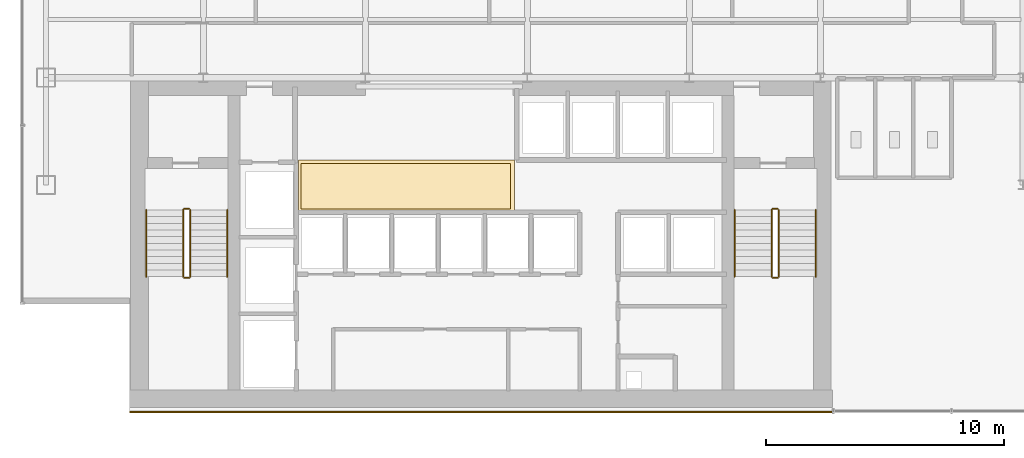
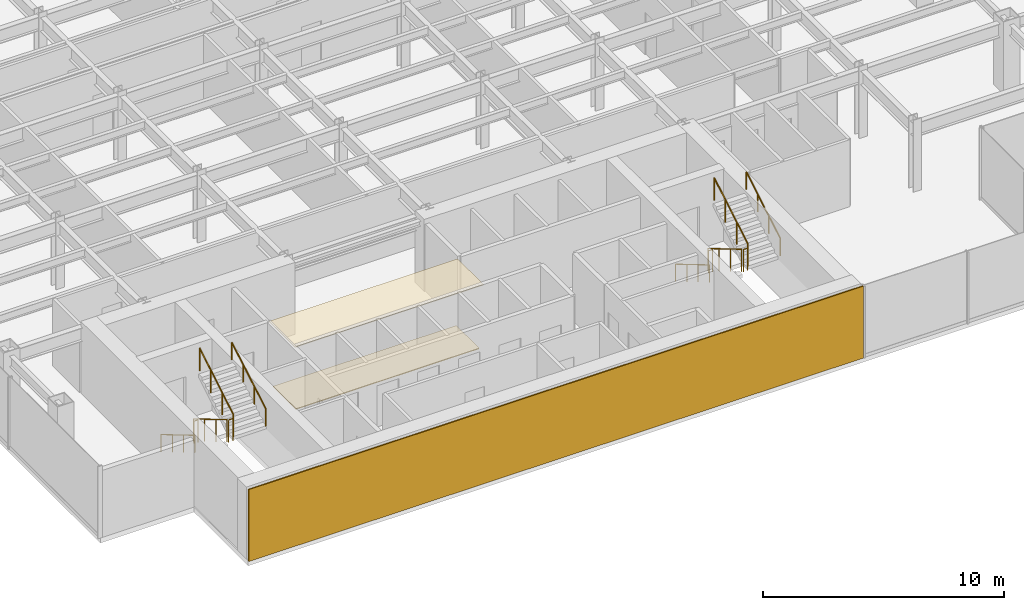
# One storey, part 24 of 26: 12 railings, 3 coverings.
"""IFC4 building model written with IfcOpenShell, lengths in metres."""

import ifcopenshell
import ifcopenshell.guid

model = None  # the IFC model being written
_history = None  # IfcOwnerHistory: only IFC2X3 demands one
_inside = {}  # id of a spatial element -> (the spatial element, [elements in it])
_under = {}  # id of a project, library or spatial element -> (it, [spatial elements below it])
_declared = {}  # id of a project -> (the project, [libraries it declares])
_typed = {}  # id of a type object -> (the type object, [elements of that type])
_made_of = {}  # id of a material, layer set ... -> (it, [elements and type objects made of it])


def new_model(schema):
    """Start an empty IFC model of exactly this schema.

    Asked for "IFC4X3", IfcOpenShell would pick the latest addendum, in which some entities
    have other attributes; the version numbers below select the first issue.
    IFC2X3 requires an IfcOwnerHistory on every rooted entity: one is made here for all.
    """
    global model, _history
    if schema == "IFC4X3":
        model = ifcopenshell.file(schema_version=(4, 3, 0, 0))
    else:
        model = ifcopenshell.file(schema=schema)
    _inside.clear()
    _under.clear()
    _declared.clear()
    _typed.clear()
    _made_of.clear()
    _history = None
    if model.schema == "IFC2X3":
        org = make("IfcOrganization", Name="unknown")
        user = make(
            "IfcPersonAndOrganization",
            ThePerson=make("IfcPerson", FamilyName="unknown"),
            TheOrganization=org,
        )
        app = make(
            "IfcApplication",
            ApplicationDeveloper=org,
            Version="unknown",
            ApplicationFullName="unknown",
            ApplicationIdentifier="unknown",
        )
        _history = make(
            "IfcOwnerHistory",
            OwningUser=user,
            OwningApplication=app,
            ChangeAction="ADDED",
            CreationDate=0,
        )
    return model


def make(cls, **values):
    """One entity of the class cls with the attributes given. An attribute that is None is left unset."""
    return model.create_entity(
        cls, **{name: value for name, value in values.items() if value is not None}
    )


def rooted(cls, **values):
    """An entity with a GlobalId (a new one), such as an element, a storey or a relation."""
    return make(cls, GlobalId=ifcopenshell.guid.new(), OwnerHistory=_history, **values)


def si_unit(unit_type, name, prefix=None):
    """IfcSIUnit, for example si_unit("LENGTHUNIT", "METRE", prefix="MILLI")."""
    return make("IfcSIUnit", UnitType=unit_type, Prefix=prefix, Name=name)


def derived_unit(unit_type, elements):
    """IfcDerivedUnit: a product of units, each with its exponent."""
    return make(
        "IfcDerivedUnit",
        Elements=[
            make("IfcDerivedUnitElement", Unit=unit, Exponent=power)
            for unit, power in elements
        ],
        UnitType=unit_type,
    )


def assignment(units):
    """IfcUnitAssignment: the units of a project."""
    return None if units is None else make("IfcUnitAssignment", Units=units)


def point(xyz):
    """IfcCartesianPoint."""
    return None if xyz is None else make("IfcCartesianPoint", Coordinates=xyz)


def direction(xyz):
    """IfcDirection."""
    return None if xyz is None else make("IfcDirection", DirectionRatios=xyz)


def frame(location, z_axis=None, x_axis=None):
    """IfcAxis2Placement3D, a coordinate frame: its origin and axes. An axis left out is left unset."""
    return make(
        "IfcAxis2Placement3D",
        Location=point(location),
        Axis=direction(z_axis),
        RefDirection=direction(x_axis),
    )


def frame_2d(location, x_axis=None):
    """IfcAxis2Placement2D, a coordinate frame in the plane: its origin and x axis."""
    return make(
        "IfcAxis2Placement2D", Location=point(location), RefDirection=direction(x_axis)
    )


def origin():
    """The frame at (0, 0, 0) with its axes left unset."""
    return frame((0.0, 0.0, 0.0))


def origin_2d():
    """The frame at (0, 0) in the plane with its x axis left unset."""
    return frame_2d((0.0, 0.0))


def place(relative_to, where):
    """IfcLocalPlacement: puts the frame where relative to a parent placement (None: the world)."""
    return make(
        "IfcLocalPlacement", PlacementRelTo=relative_to, RelativePlacement=where
    )


def context(
    kind, dimensions, precision=None, world=None, true_north=None, identifier=None
):
    """IfcGeometricRepresentationContext, for example the 3D "Model" context."""
    return make(
        "IfcGeometricRepresentationContext",
        ContextIdentifier=identifier,
        ContextType=kind,
        CoordinateSpaceDimension=dimensions,
        Precision=precision,
        WorldCoordinateSystem=world,
        TrueNorth=true_north,
    )


def subcontext(parent, identifier, kind, view, scale=None):
    """IfcGeometricRepresentationSubContext, for example "Body" below "Model"."""
    return make(
        "IfcGeometricRepresentationSubContext",
        ContextIdentifier=identifier,
        ContextType=kind,
        ParentContext=parent,
        TargetScale=scale,
        TargetView=view,
    )


def project(units=None, contexts=None):
    """IfcProject with its units and contexts."""
    return rooted(
        "IfcProject",
        Name="project",
        RepresentationContexts=contexts,
        UnitsInContext=assignment(units),
    )


def spatial(cls, under=None, at=None, **own):
    """A site, building, storey or space (cls), placed at a placement, below another one or the project."""
    s = rooted(cls, ObjectPlacement=at, **own)
    if under is not None:
        _under.setdefault(under.id(), (under, []))[1].append(s)
    return s


def polyline(points):
    """IfcPolyline through the points."""
    return make("IfcPolyline", Points=[point(p) for p in points])


def profile(cls, at=None, kind="AREA", **sizes):
    """A parametric profile (cls). Its sizes go by their IFC names, for example OverallWidth=200.0."""
    return make(cls, ProfileType=kind, Position=at, **sizes)


def rectangle(**sizes):
    """IfcRectangleProfileDef."""
    return profile("IfcRectangleProfileDef", **sizes)


def circle(**sizes):
    """IfcCircleProfileDef."""
    return profile("IfcCircleProfileDef", **sizes)


def outline(outer, holes=None, kind="AREA"):
    """IfcArbitraryClosedProfileDef: a profile drawn as a closed curve; with holes, ...WithVoids."""
    if holes is None:
        return make("IfcArbitraryClosedProfileDef", ProfileType=kind, OuterCurve=outer)
    return make(
        "IfcArbitraryProfileDefWithVoids",
        ProfileType=kind,
        OuterCurve=outer,
        InnerCurves=holes,
    )


def extrude(swept, where, along, depth):
    """IfcExtrudedAreaSolid: the profile swept, set in the frame where, extruded along a direction by depth."""
    return make(
        "IfcExtrudedAreaSolid",
        SweptArea=swept,
        Position=where,
        ExtrudedDirection=direction(along),
        Depth=depth,
    )


def shape(context_of_items, identifier, shape_type, items):
    """IfcShapeRepresentation: the items that make up one representation, for example the "Body"."""
    return make(
        "IfcShapeRepresentation",
        ContextOfItems=context_of_items,
        RepresentationIdentifier=identifier,
        RepresentationType=shape_type,
        Items=items,
    )


def source(mapping_origin, context_of_items, identifier, shape_type, items):
    """IfcRepresentationMap: a shape defined once, which mapped items show again and again."""
    return make(
        "IfcRepresentationMap",
        MappingOrigin=mapping_origin,
        MappedRepresentation=shape(context_of_items, identifier, shape_type, items),
    )


def transform(
    local_origin,
    x_axis=None,
    y_axis=None,
    z_axis=None,
    scale=None,
    scale2=None,
    scale3=None,
    uniform=True,
):
    """IfcCartesianTransformationOperator3D, or its non-uniform kind. x_axis, y_axis, z_axis: its Axis1, 2, 3."""
    if uniform:
        return make(
            "IfcCartesianTransformationOperator3D",
            Axis1=direction(x_axis),
            Axis2=direction(y_axis),
            LocalOrigin=point(local_origin),
            Scale=scale,
            Axis3=direction(z_axis),
        )
    return make(
        "IfcCartesianTransformationOperator3DnonUniform",
        Axis1=direction(x_axis),
        Axis2=direction(y_axis),
        LocalOrigin=point(local_origin),
        Scale=scale,
        Axis3=direction(z_axis),
        Scale2=scale2,
        Scale3=scale3,
    )


def mapped(mapping_source, mapping_target):
    """IfcMappedItem: shows the shape of a source again, moved by a transform."""
    return make(
        "IfcMappedItem", MappingSource=mapping_source, MappingTarget=mapping_target
    )


def material(Name=None, Category=None):
    """IfcMaterial."""
    return make("IfcMaterial", Name=Name, Category=Category)


def layer(
    of_material, thickness, ventilated=None, Name=None, Category=None, Priority=None
):
    """IfcMaterialLayer: one layer of a wall or slab, of a material (None: an air gap)."""
    return make(
        "IfcMaterialLayer",
        Material=of_material,
        LayerThickness=thickness,
        IsVentilated=ventilated,
        Name=Name,
        Category=Category,
        Priority=Priority,
    )


def layer_set(layers, Name=None):
    """IfcMaterialLayerSet."""
    return make("IfcMaterialLayerSet", MaterialLayers=layers, LayerSetName=Name)


def made_of(thing, what):
    """Note that an element or type object is made of a material, layer set ...; save() writes the relation."""
    if what is not None:
        _made_of.setdefault(what.id(), (what, []))[1].append(thing)
    return thing


def type_object(cls, material=None, **own):
    """A type object (cls), such as IfcWallType, which elements share."""
    return made_of(rooted(cls, **own), material)


def element(
    cls,
    number,
    at=None,
    inside=None,
    cuts=None,
    type_object=None,
    material=None,
    context=None,
    identifier="Body",
    shape_type=None,
    held_by="IfcProductDefinitionShape",
    body=None,
    shapes=None,
    **own,
):
    """One element of the class cls, such as IfcWall. Its Tag is "e" and its number.

    at: its placement. inside: the storey or other place that contains it. cuts: it is an
    opening in that element (IfcRelVoidsElement). A single representation is given by context,
    identifier, shape_type and body (its items); several are given by shapes. held_by: the class
    of the entity that holds the representations. save() writes the other relations.
    """
    e = rooted(cls, Tag="e%d" % number, ObjectPlacement=at, **own)
    if body is not None:
        shapes = [shape(context, identifier, shape_type, body)]
    if shapes is not None:
        e.Representation = make(held_by, Representations=shapes)
    if inside is not None:
        _inside.setdefault(inside.id(), (inside, []))[1].append(e)
    if cuts is not None:
        rooted(
            "IfcRelVoidsElement", RelatingBuildingElement=cuts, RelatedOpeningElement=e
        )
    if type_object is not None:
        _typed.setdefault(type_object.id(), (type_object, []))[1].append(e)
    return made_of(e, material)


def aggregate(whole, parts):
    """IfcRelAggregates: a whole, such as a stair, and the parts it consists of."""
    return rooted("IfcRelAggregates", RelatingObject=whole, RelatedObjects=parts)


def save(model, path):
    """Write the relations noted so far, then the file.

    IfcRelAggregates (storeys below a building ...), IfcRelContainedInSpatialStructure (elements
    in a storey), IfcRelDefinesByType, IfcRelAssociatesMaterial and IfcRelDeclares: one each for
    every whole, place, type object, material and project.
    """
    for whole, parts in _under.values():
        aggregate(whole, parts)
    for where, things in _inside.values():
        rooted(
            "IfcRelContainedInSpatialStructure",
            RelatedElements=things,
            RelatingStructure=where,
        )
    for kind, things in _typed.values():
        rooted("IfcRelDefinesByType", RelatedObjects=things, RelatingType=kind)
    for what, things in _made_of.values():
        rooted("IfcRelAssociatesMaterial", RelatedObjects=things, RelatingMaterial=what)
    for by, libraries in _declared.values():
        rooted("IfcRelDeclares", RelatingContext=by, RelatedDefinitions=libraries)
    model.write(path)


model = new_model("IFC4")

# Units and contexts
model_context = context("Model", 3, precision=1e-05, world=origin(), true_north=direction((0.0, 1.0)))
body_context = subcontext(model_context, "Body", "Model", "MODEL_VIEW")
ifc_project = project(units=[si_unit("LENGTHUNIT", "METRE"), si_unit("AREAUNIT", "SQUARE_METRE"), si_unit("VOLUMEUNIT", "CUBIC_METRE"), si_unit("PLANEANGLEUNIT", "RADIAN"), si_unit("MASSUNIT", "GRAM", prefix="KILO"), derived_unit("THERMALTRANSMITTANCEUNIT", [(si_unit("POWERUNIT", "WATT"), 1), (si_unit("LENGTHUNIT", "METRE"), -2), (si_unit("THERMODYNAMICTEMPERATUREUNIT", "KELVIN"), -1)])], contexts=[model_context])

# Site, building, storey
site_placement = place(None, origin())
site = spatial("IfcSite", under=ifc_project, at=site_placement, CompositionType="ELEMENT")
building_placement = place(site_placement, origin())
building = spatial("IfcBuilding", under=site, at=building_placement, Name="Skarnbrae Concourse Arena and Tower", CompositionType="ELEMENT")
storey_placement = place(building_placement, frame((0.0, 0.0, 121.5)))
storey = spatial("IfcBuildingStorey", under=building, at=storey_placement, Name="L30", CompositionType="ELEMENT", Elevation=121.5)

# Coverings
ifc_material_1 = material(Name="Mineral fibre acoustic ceiling tile", Category="other")
ifc_layer_1 = layer(ifc_material_1, 0.0400390625)
ifc_layer_set_1 = layer_set([ifc_layer_1], Name="Mineral fibre acoustic ceiling tile")
covering_type_1 = type_object("IfcCoveringType", Name="COV-CEIL-ACOUSTIC", PredefinedType="CEILING", material=ifc_layer_set_1)
covering_1_placement = place(storey_placement, frame((0.0, 0.0, 3.239990234375)))
element("IfcCovering", 1, at=covering_1_placement, inside=storey, type_object=covering_type_1, Name="L30 Lift lobby acoustic ceiling", PredefinedType="CEILING", context=body_context, shape_type="SweptSolid", body=[
    extrude(outline(polyline([(11.60009765625, 8.39990234375), (20.64990234375, 8.39990234375), (20.64990234375, 10.550048828125), (11.60009765625, 10.550048828125), (11.60009765625, 8.39990234375)])), origin(), (0.0, 0.0, 1.0), 0.0400390625),
])
ifc_material_2 = material(Name="Polished granite terrazzo flooring", Category="masonry")
ifc_layer_2 = layer(ifc_material_2, 0.0400390625)
ifc_layer_set_2 = layer_set([ifc_layer_2], Name="Polished granite terrazzo flooring")
covering_type_2 = type_object("IfcCoveringType", Name="COV-FLOOR-TERRAZZO", PredefinedType="FLOORING", material=ifc_layer_set_2)
covering_2_placement = place(storey_placement, origin())
element("IfcCovering", 2, at=covering_2_placement, inside=storey, type_object=covering_type_2, Name="L30 Lift lobby terrazzo flooring", PredefinedType="FLOORING", context=body_context, shape_type="SweptSolid", body=[
    extrude(outline(polyline([(11.699951171875, 8.5), (20.5, 8.5), (20.5, 10.39990234375), (11.699951171875, 10.39990234375), (11.699951171875, 8.5)])), origin(), (0.0, 0.0, 1.0), 0.0400390625),
])

# Railings
ifc_material_3 = material(Name="Steel CSA G40.21 350W", Category="steel")
railing_type_1 = type_object("IfcRailingType", Name="RAIL-HANDRAIL-900", PredefinedType="HANDRAIL", material=ifc_material_3)
railing_1_placement = place(storey_placement, frame((5.199951171875, 8.449951171875, 0.166015625)))
element("IfcRailing", 3, at=railing_1_placement, inside=storey, type_object=railing_type_1, Name="L30 ST-1 stair handrail 1", PredefinedType="HANDRAIL", context=body_context, shape_type="SweptSolid", body=[
    extrude(circle(Radius=0.02392578125, at=origin_2d()), frame((0.0, 0.0, 0.8759765625), z_axis=(0.0, -0.860339051648, 0.50972219513), x_axis=(1.0, 0.0, 0.0)), (0.0, 0.0, 1.0), 3.254638671875),
    extrude(circle(Radius=0.02099609375, at=origin_2d()), origin(), (0.0, 0.0, 1.0), 0.851806640625),
    extrude(circle(Radius=0.02099609375, at=origin_2d()), frame((0.0, -0.933349609375, 0.552978515625)), (0.0, 0.0, 1.0), 0.851806640625),
    extrude(circle(Radius=0.02099609375, at=origin_2d()), frame((0.0, -1.86669921875, 1.10595703125)), (0.0, 0.0, 1.0), 0.851806640625),
    extrude(circle(Radius=0.02099609375, at=origin_2d()), frame((0.0, -2.800048828125, 1.658935546875)), (0.0, 0.0, 1.0), 0.851806640625),
])
railing_2_placement = place(storey_placement, frame((8.60009765625, 5.64990234375, 1.990966796875)))
element("IfcRailing", 4, at=railing_2_placement, inside=storey, type_object=railing_type_1, Name="L30 ST-1 stair handrail 2", PredefinedType="HANDRAIL", context=body_context, shape_type="SweptSolid", body=[
    extrude(circle(Radius=0.02392578125, at=origin_2d()), frame((0.0, 0.0, 0.8759765625), z_axis=(0.0, 0.860339051648, 0.50972219513), x_axis=(-1.0, 0.0, 0.0)), (0.0, 0.0, 1.0), 3.254638671875),
    extrude(circle(Radius=0.02099609375, at=origin_2d()), origin(), (0.0, 0.0, 1.0), 0.851806640625),
    extrude(circle(Radius=0.02099609375, at=origin_2d()), frame((0.0, 0.933349609375, 0.552978515625)), (0.0, 0.0, 1.0), 0.851806640625),
    extrude(circle(Radius=0.02099609375, at=origin_2d()), frame((0.0, 1.86669921875, 1.10595703125)), (0.0, 0.0, 1.0), 0.851806640625),
    extrude(circle(Radius=0.02099609375, at=origin_2d()), frame((0.0, 2.800048828125, 1.658935546875)), (0.0, 0.0, 1.0), 0.851806640625),
])
railing_3_placement = place(storey_placement, frame((29.89990234375, 8.449951171875, 0.166015625)))
element("IfcRailing", 5, at=railing_3_placement, inside=storey, type_object=railing_type_1, Name="L30 ST-2 stair handrail 1", PredefinedType="HANDRAIL", context=body_context, shape_type="SweptSolid", body=[
    extrude(circle(Radius=0.02392578125, at=origin_2d()), frame((0.0, 0.0, 0.8759765625), z_axis=(0.0, -0.860339051648, 0.50972219513), x_axis=(1.0, 0.0, 0.0)), (0.0, 0.0, 1.0), 3.254638671875),
    extrude(circle(Radius=0.02099609375, at=origin_2d()), origin(), (0.0, 0.0, 1.0), 0.851806640625),
    extrude(circle(Radius=0.02099609375, at=origin_2d()), frame((0.0, -0.933349609375, 0.552978515625)), (0.0, 0.0, 1.0), 0.851806640625),
    extrude(circle(Radius=0.02099609375, at=origin_2d()), frame((0.0, -1.86669921875, 1.10595703125)), (0.0, 0.0, 1.0), 0.851806640625),
    extrude(circle(Radius=0.02099609375, at=origin_2d()), frame((0.0, -2.800048828125, 1.658935546875)), (0.0, 0.0, 1.0), 0.851806640625),
])
railing_4_placement = place(storey_placement, frame((33.300048828125, 5.64990234375, 1.990966796875)))
element("IfcRailing", 6, at=railing_4_placement, inside=storey, type_object=railing_type_1, Name="L30 ST-2 stair handrail 2", PredefinedType="HANDRAIL", context=body_context, shape_type="SweptSolid", body=[
    extrude(circle(Radius=0.02392578125, at=origin_2d()), frame((0.0, 0.0, 0.8759765625), z_axis=(0.0, 0.860339051648, 0.50972219513), x_axis=(-1.0, 0.0, 0.0)), (0.0, 0.0, 1.0), 3.254638671875),
    extrude(circle(Radius=0.02099609375, at=origin_2d()), origin(), (0.0, 0.0, 1.0), 0.851806640625),
    extrude(circle(Radius=0.02099609375, at=origin_2d()), frame((0.0, 0.933349609375, 0.552978515625)), (0.0, 0.0, 1.0), 0.851806640625),
    extrude(circle(Radius=0.02099609375, at=origin_2d()), frame((0.0, 1.86669921875, 1.10595703125)), (0.0, 0.0, 1.0), 0.851806640625),
    extrude(circle(Radius=0.02099609375, at=origin_2d()), frame((0.0, 2.800048828125, 1.658935546875)), (0.0, 0.0, 1.0), 0.851806640625),
])
railing_type_2 = type_object("IfcRailingType", Name="RAIL-STAIR-GUARD-1150", PredefinedType="GUARDRAIL", material=ifc_material_3)
railing_5_placement = place(storey_placement, frame((6.75, 8.449951171875, 0.166015625)))
element("IfcRailing", 7, at=railing_5_placement, inside=storey, type_object=railing_type_2, Name="L30 ST-1 stair guard 1", PredefinedType="GUARDRAIL", context=body_context, shape_type="SweptSolid", body=[
    extrude(circle(Radius=0.02392578125, at=origin_2d()), frame((0.0, 0.0, 1.1259765625), z_axis=(0.0, -0.860339051648, 0.50972219513), x_axis=(1.0, 0.0, 0.0)), (0.0, 0.0, 1.0), 3.254638671875),
    extrude(circle(Radius=0.02099609375, at=origin_2d()), origin(), (0.0, 0.0, 1.0), 1.101806640625),
    extrude(circle(Radius=0.02099609375, at=origin_2d()), frame((0.0, -0.933349609375, 0.552978515625)), (0.0, 0.0, 1.0), 1.101806640625),
    extrude(circle(Radius=0.02099609375, at=origin_2d()), frame((0.0, -1.86669921875, 1.10595703125)), (0.0, 0.0, 1.0), 1.101806640625),
    extrude(circle(Radius=0.02099609375, at=origin_2d()), frame((0.0, -2.800048828125, 1.658935546875)), (0.0, 0.0, 1.0), 1.101806640625),
])
railing_6_placement = place(storey_placement, frame((6.800048828125, 5.60009765625, 1.824951171875)))
element("IfcRailing", 8, at=railing_6_placement, inside=storey, type_object=railing_type_2, Name="L30 ST-1 stair guard 2", PredefinedType="GUARDRAIL", context=body_context, shape_type="SweptSolid", body=[
    extrude(circle(Radius=0.02392578125, at=origin_2d()), frame((0.0, 0.0, 1.1259765625), z_axis=(1.0, 0.0, 0.0), x_axis=(0.0, 1.0, 0.0)), (0.0, 0.0, 1.0), 0.199951171875),
    extrude(circle(Radius=0.02099609375, at=origin_2d()), origin(), (0.0, 0.0, 1.0), 1.101806640625),
    extrude(circle(Radius=0.02099609375, at=origin_2d()), frame((0.199951171875, 0.0, 0.0)), (0.0, 0.0, 1.0), 1.101806640625),
])
railing_7_placement = place(storey_placement, frame((7.050048828125, 5.64990234375, 1.990966796875)))
element("IfcRailing", 9, at=railing_7_placement, inside=storey, type_object=railing_type_2, Name="L30 ST-1 stair guard 3", PredefinedType="GUARDRAIL", context=body_context, shape_type="SweptSolid", body=[
    extrude(circle(Radius=0.02392578125, at=origin_2d()), frame((0.0, 0.0, 1.1259765625), z_axis=(0.0, 0.860339051648, 0.50972219513), x_axis=(-1.0, 0.0, 0.0)), (0.0, 0.0, 1.0), 3.254638671875),
    extrude(circle(Radius=0.02099609375, at=origin_2d()), origin(), (0.0, 0.0, 1.0), 1.101806640625),
    extrude(circle(Radius=0.02099609375, at=origin_2d()), frame((0.0, 0.933349609375, 0.552978515625)), (0.0, 0.0, 1.0), 1.101806640625),
    extrude(circle(Radius=0.02099609375, at=origin_2d()), frame((0.0, 1.86669921875, 1.10595703125)), (0.0, 0.0, 1.0), 1.101806640625),
    extrude(circle(Radius=0.02099609375, at=origin_2d()), frame((0.0, 2.800048828125, 1.658935546875)), (0.0, 0.0, 1.0), 1.101806640625),
])
railing_8_placement = place(storey_placement, frame((6.800048828125, 8.5, 0.0)))
element("IfcRailing", 10, at=railing_8_placement, inside=storey, type_object=railing_type_2, Name="L30 ST-1 stair guard 4", PredefinedType="GUARDRAIL", context=body_context, shape_type="SweptSolid", body=[
    extrude(circle(Radius=0.02392578125, at=origin_2d()), frame((0.0, 0.0, 1.1259765625), z_axis=(1.0, 0.0, 0.0), x_axis=(0.0, 1.0, 0.0)), (0.0, 0.0, 1.0), 0.199951171875),
    extrude(circle(Radius=0.02099609375, at=origin_2d()), origin(), (0.0, 0.0, 1.0), 1.101806640625),
    extrude(circle(Radius=0.02099609375, at=origin_2d()), frame((0.199951171875, 0.0, 0.0)), (0.0, 0.0, 1.0), 1.101806640625),
])
railing_9_placement = place(storey_placement, frame((31.449951171875, 8.449951171875, 0.166015625)))
element("IfcRailing", 11, at=railing_9_placement, inside=storey, type_object=railing_type_2, Name="L30 ST-2 stair guard 1", PredefinedType="GUARDRAIL", context=body_context, shape_type="SweptSolid", body=[
    extrude(circle(Radius=0.02392578125, at=origin_2d()), frame((0.0, 0.0, 1.1259765625), z_axis=(0.0, -0.860339051648, 0.50972219513), x_axis=(1.0, 0.0, 0.0)), (0.0, 0.0, 1.0), 3.254638671875),
    extrude(circle(Radius=0.02099609375, at=origin_2d()), origin(), (0.0, 0.0, 1.0), 1.101806640625),
    extrude(circle(Radius=0.02099609375, at=origin_2d()), frame((0.0, -0.933349609375, 0.552978515625)), (0.0, 0.0, 1.0), 1.101806640625),
    extrude(circle(Radius=0.02099609375, at=origin_2d()), frame((0.0, -1.86669921875, 1.10595703125)), (0.0, 0.0, 1.0), 1.101806640625),
    extrude(circle(Radius=0.02099609375, at=origin_2d()), frame((0.0, -2.800048828125, 1.658935546875)), (0.0, 0.0, 1.0), 1.101806640625),
])
railing_10_placement = place(storey_placement, frame((31.5, 5.60009765625, 1.824951171875)))
element("IfcRailing", 12, at=railing_10_placement, inside=storey, type_object=railing_type_2, Name="L30 ST-2 stair guard 2", PredefinedType="GUARDRAIL", context=body_context, shape_type="SweptSolid", body=[
    extrude(circle(Radius=0.02392578125, at=origin_2d()), frame((0.0, 0.0, 1.1259765625), z_axis=(1.0, 0.0, 0.0), x_axis=(0.0, 1.0, 0.0)), (0.0, 0.0, 1.0), 0.199951171875),
    extrude(circle(Radius=0.02099609375, at=origin_2d()), origin(), (0.0, 0.0, 1.0), 1.101806640625),
    extrude(circle(Radius=0.02099609375, at=origin_2d()), frame((0.199951171875, 0.0, 0.0)), (0.0, 0.0, 1.0), 1.101806640625),
])
railing_11_placement = place(storey_placement, frame((31.75, 5.64990234375, 1.990966796875)))
element("IfcRailing", 13, at=railing_11_placement, inside=storey, type_object=railing_type_2, Name="L30 ST-2 stair guard 3", PredefinedType="GUARDRAIL", context=body_context, shape_type="SweptSolid", body=[
    extrude(circle(Radius=0.02392578125, at=origin_2d()), frame((0.0, 0.0, 1.1259765625), z_axis=(0.0, 0.860339051648, 0.50972219513), x_axis=(-1.0, 0.0, 0.0)), (0.0, 0.0, 1.0), 3.254638671875),
    extrude(circle(Radius=0.02099609375, at=origin_2d()), origin(), (0.0, 0.0, 1.0), 1.101806640625),
    extrude(circle(Radius=0.02099609375, at=origin_2d()), frame((0.0, 0.933349609375, 0.552978515625)), (0.0, 0.0, 1.0), 1.101806640625),
    extrude(circle(Radius=0.02099609375, at=origin_2d()), frame((0.0, 1.86669921875, 1.10595703125)), (0.0, 0.0, 1.0), 1.101806640625),
    extrude(circle(Radius=0.02099609375, at=origin_2d()), frame((0.0, 2.800048828125, 1.658935546875)), (0.0, 0.0, 1.0), 1.101806640625),
])
railing_12_placement = place(storey_placement, frame((31.5, 8.5, 0.0)))
element("IfcRailing", 14, at=railing_12_placement, inside=storey, type_object=railing_type_2, Name="L30 ST-2 stair guard 4", PredefinedType="GUARDRAIL", context=body_context, shape_type="SweptSolid", body=[
    extrude(circle(Radius=0.02392578125, at=origin_2d()), frame((0.0, 0.0, 1.1259765625), z_axis=(1.0, 0.0, 0.0), x_axis=(0.0, 1.0, 0.0)), (0.0, 0.0, 1.0), 0.199951171875),
    extrude(circle(Radius=0.02099609375, at=origin_2d()), origin(), (0.0, 0.0, 1.0), 1.101806640625),
    extrude(circle(Radius=0.02099609375, at=origin_2d()), frame((0.199951171875, 0.0, 0.0)), (0.0, 0.0, 1.0), 1.101806640625),
])

# Covering
ifc_material_4 = material(Name="Bronze anodised aluminium 6063-T6", Category="aluminium")
ifc_layer_3 = layer(ifc_material_4, 0.06005859375)
ifc_layer_set_3 = layer_set([ifc_layer_3], Name="Bronze anodised aluminium 6063-T6")
covering_type_3 = type_object("IfcCoveringType", Name="COV-CLAD-BRONZE-60", PredefinedType="CLADDING", material=ifc_layer_set_3)
shared_shape = source(origin(), body_context, "Body", "SweptSolid", [
    extrude(rectangle(XDim=29.5, YDim=0.06005859375, at=origin_2d()), origin(), (0.0, 0.0, 1.0), 3.64990234375),
])
covering_3_placement = place(storey_placement, frame((19.25, -0.030029296875, 0.0), z_axis=(0.0, 0.0, 1.0), x_axis=(1.0, 0.0, 0.0)))
element("IfcCovering", 15, at=covering_3_placement, inside=storey, type_object=covering_type_3, Name="L30 Rear-core plumb spine bronze rainscreen panel", PredefinedType="CLADDING", context=body_context, shape_type="MappedRepresentation", body=[
    mapped(shared_shape, transform((0.0, 0.0, 0.0))),
])

save(model, "model.ifc")
